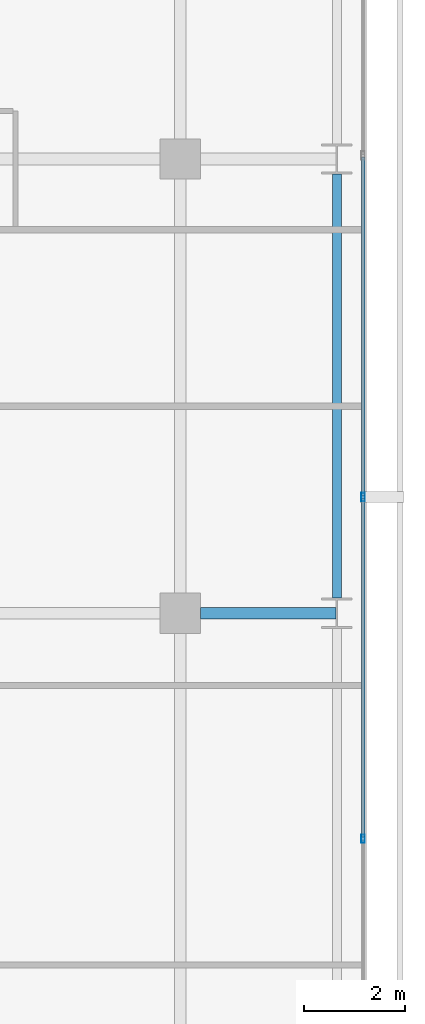
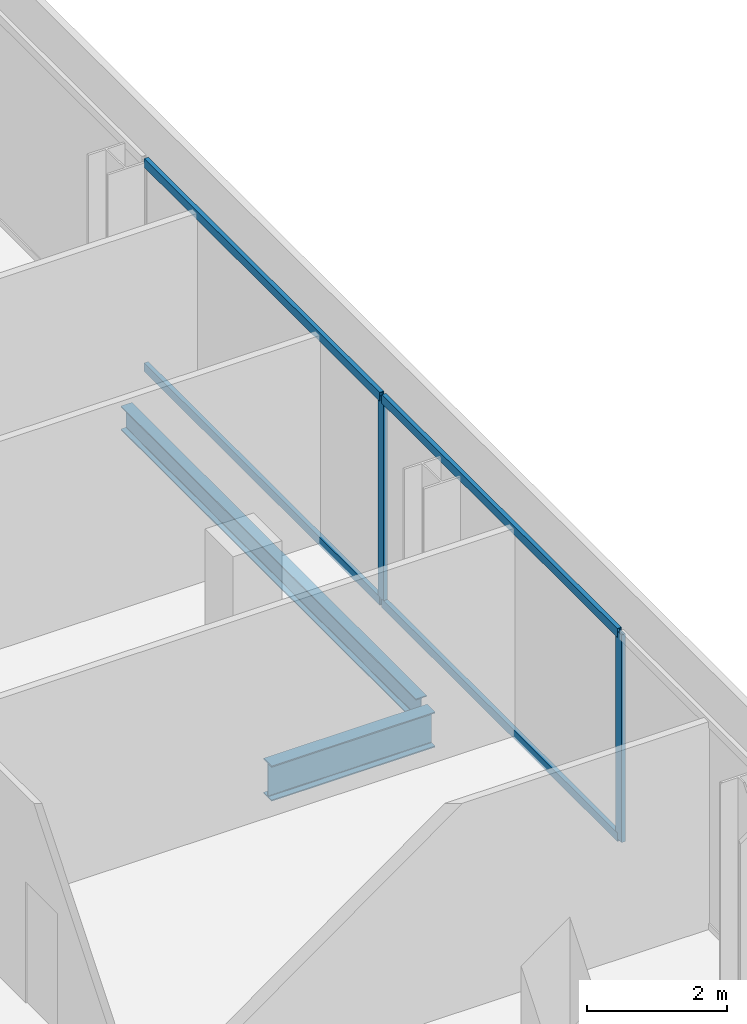
# One storey, part 17 of 33: 6 members, 2 beams, 1 element without a shape of its own.
"""IFC4 building model written with IfcOpenShell, lengths in metres."""

from ifc_helpers import new_model, si_unit, direction, frame, origin, origin_2d, place, context, subcontext, project, spatial, hollow_rectangle, i_section, extrude, material, layer, layer_set, material_profile, profile_set, type_object, element, aggregate, save


model = new_model("IFC4")

# Units and contexts
model_context = context("Model", 3, precision=1e-05, world=origin(), true_north=direction((0.0, 1.0)))
body_context = subcontext(model_context, "Body", "Model", "MODEL_VIEW")
ifc_project = project(units=[si_unit("LENGTHUNIT", "METRE"), si_unit("AREAUNIT", "SQUARE_METRE"), si_unit("VOLUMEUNIT", "CUBIC_METRE"), si_unit("PLANEANGLEUNIT", "RADIAN"), si_unit("MASSUNIT", "GRAM", prefix="KILO")], contexts=[model_context])

# Site, building, storey
site_placement = place(None, origin())
site = spatial("IfcSite", under=ifc_project, at=site_placement, CompositionType="ELEMENT")
building_placement = place(site_placement, origin())
building = spatial("IfcBuilding", under=site, at=building_placement, Name="Maruvema Waterfront Hotel and Observation Tower", CompositionType="ELEMENT")
storey_placement = place(building_placement, frame((0.0, 0.0, 150.5)))
storey = spatial("IfcBuildingStorey", under=building, at=storey_placement, Name="L36", CompositionType="ELEMENT", Elevation=150.5)

# Curtain wall, members
ifc_material_1 = material(Name="Anodised bronze aluminium and solar-control low-E IGU", Category="aluminium")
ifc_layer = layer(ifc_material_1, 0.159912109375, Name="Zone 2 Amber Inner Thermal Curtain Wall System CW-03")
ifc_layer_set = layer_set([ifc_layer], Name="Anodised bronze aluminium and solar-control low-E IGU")
curtain_wall_type = type_object("IfcCurtainWallType", Name="Zone 2 Amber Inner Thermal Curtain Wall System CW-03", PredefinedType="USERDEFINED", material=ifc_layer_set)
curtain_wall_placement = place(storey_placement, origin())
curtain_wall = element("IfcCurtainWall", 1, at=curtain_wall_placement, inside=storey, type_object=curtain_wall_type, Name="L36 Curtain Wall CW-L36-E", ObjectType="UNITISED CURTAIN WALL", PredefinedType="USERDEFINED")
ifc_material_2 = material(Name="Anodised architectural bronze aluminium", Category="aluminium")
ifc_material_profile_1 = material_profile(ifc_material_2, hollow_rectangle(XDim=0.070068359375, YDim=0.14990234375, WallThickness=0.00390625, at=origin_2d()), Name="ALU-T70x150")
ifc_profile_set_1 = profile_set([ifc_material_profile_1], Name="Anodised architectural bronze aluminium")
member_type_1 = type_object("IfcMemberType", Name="Curtain Wall Horizontal Transom ALU-T70x150", PredefinedType="USERDEFINED", material=ifc_profile_set_1)
member_1_placement = place(storey_placement, frame((62.419921875, 22.563232421875, 0.030029296875), z_axis=(0.0, 1.0, 0.0), x_axis=(-1.0, 0.0, 0.0)))
member_1 = element("IfcMember", 2, at=member_1_placement, type_object=member_type_1, Name="CW-03 transom 3.1", ObjectType="TRANSOM", PredefinedType="USERDEFINED", context=body_context, shape_type="SweptSolid", body=[
    extrude(hollow_rectangle(XDim=0.070068359375, YDim=0.14990234375, WallThickness=0.00390625, at=origin_2d()), origin(), (0.0, 0.0, 1.0), 6.706787109375),
])
member_2_placement = place(storey_placement, frame((62.419921875, 22.563232421875, 3.580078125), z_axis=(0.0, 1.0, 0.0), x_axis=(-1.0, 0.0, 0.0)))
member_2 = element("IfcMember", 3, at=member_2_placement, type_object=member_type_1, Name="CW-03 transom 3.2", ObjectType="TRANSOM", PredefinedType="USERDEFINED", context=body_context, shape_type="SweptSolid", body=[
    extrude(hollow_rectangle(XDim=0.070068359375, YDim=0.14990234375, WallThickness=0.00390625, at=origin_2d()), origin(), (0.0, 0.0, 1.0), 6.706787109375),
])
member_3_placement = place(storey_placement, frame((62.419921875, 29.330078125, 0.030029296875), z_axis=(0.0, 1.0, 0.0), x_axis=(-1.0, 0.0, 0.0)))
member_3 = element("IfcMember", 4, at=member_3_placement, type_object=member_type_1, Name="CW-03 transom 4.1", ObjectType="TRANSOM", PredefinedType="USERDEFINED", context=body_context, shape_type="SweptSolid", body=[
    extrude(hollow_rectangle(XDim=0.070068359375, YDim=0.14990234375, WallThickness=0.00390625, at=origin_2d()), origin(), (0.0, 0.0, 1.0), 6.70654296875),
])
member_4_placement = place(storey_placement, frame((62.419921875, 29.330078125, 3.580078125), z_axis=(0.0, 1.0, 0.0), x_axis=(-1.0, 0.0, 0.0)))
member_4 = element("IfcMember", 5, at=member_4_placement, type_object=member_type_1, Name="CW-03 transom 4.2", ObjectType="TRANSOM", PredefinedType="USERDEFINED", context=body_context, shape_type="SweptSolid", body=[
    extrude(hollow_rectangle(XDim=0.070068359375, YDim=0.14990234375, WallThickness=0.00390625, at=origin_2d()), origin(), (0.0, 0.0, 1.0), 6.70654296875),
])
ifc_material_3 = material(Name="Anodised architectural bronze aluminium", Category="aluminium")
ifc_material_profile_2 = material_profile(ifc_material_3, hollow_rectangle(XDim=0.06494140625, YDim=0.1650390625, WallThickness=0.00390625, at=origin_2d()), Name="ALU-M65x165")
ifc_profile_set_2 = profile_set([ifc_material_profile_2], Name="Anodised architectural bronze aluminium")
member_type_2 = type_object("IfcMemberType", Name="Curtain Wall Primary Mullion ALU-M65x165", PredefinedType="MULLION", material=ifc_profile_set_2)
member_5_placement = place(storey_placement, frame((62.419921875, 22.533447265625, 0.0), z_axis=(0.0, 0.0, 1.0), x_axis=(-1.0, 0.0, 0.0)))
member_5 = element("IfcMember", 6, at=member_5_placement, type_object=member_type_2, Name="CW-03 mullion 3", PredefinedType="MULLION", context=body_context, shape_type="SweptSolid", body=[
    extrude(hollow_rectangle(XDim=0.06494140625, YDim=0.1650390625, WallThickness=0.00390625, at=origin_2d()), origin(), (0.0, 0.0, 1.0), 3.610107421875),
])
member_6_placement = place(storey_placement, frame((62.419921875, 29.300048828125, 0.0), z_axis=(0.0, 0.0, 1.0), x_axis=(-1.0, 0.0, 0.0)))
member_6 = element("IfcMember", 7, at=member_6_placement, type_object=member_type_2, Name="CW-03 mullion 4", PredefinedType="MULLION", context=body_context, shape_type="SweptSolid", body=[
    extrude(hollow_rectangle(XDim=0.06494140625, YDim=0.1650390625, WallThickness=0.00390625, at=origin_2d()), origin(), (0.0, 0.0, 1.0), 3.610107421875),
])
aggregate(curtain_wall, [member_5, member_6, member_1, member_2, member_3, member_4])

# Beams
ifc_material_4 = material(Name="Steel ASTM A572 Grade 50", Category="steel")
ifc_material_profile_3 = material_profile(ifc_material_4, i_section(OverallWidth=0.180908203125, OverallDepth=0.4169921875, WebThickness=0.010986328125, FlangeThickness=0.018310546875, FilletRadius=0.014892578125, at=origin_2d()), Name="W410x85.0")
ifc_profile_set_3 = profile_set([ifc_material_profile_3], Name="Steel ASTM A572 Grade 50")
beam_type_1 = type_object("IfcBeamType", Name="Perimeter Spandrel Beam W410x85.0", PredefinedType="SPANDREL", material=ifc_profile_set_3)
beam_1_placement = place(storey_placement, frame((61.89990234375, 27.300048828125, -0.448486328125), z_axis=(0.0, 1.0, 0.0), x_axis=(-1.0, 0.0, 0.0)))
element("IfcBeam", 8, at=beam_1_placement, inside=storey, type_object=beam_type_1, Name="L36 Floor Girder NS-31", PredefinedType="SPANDREL", context=body_context, shape_type="SweptSolid", body=[
    extrude(i_section(OverallWidth=0.180908203125, OverallDepth=0.4169921875, WebThickness=0.010986328125, FlangeThickness=0.018310546875, FilletRadius=0.014892578125, at=origin_2d()), origin(), (0.0, 0.0, 1.0), 8.39990234375),
])
ifc_material_5 = material(Name="Steel ASTM A572 Grade 50", Category="steel")
ifc_material_profile_4 = material_profile(ifc_material_5, i_section(OverallWidth=0.22900390625, OverallDepth=0.612060546875, WebThickness=0.011962890625, FlangeThickness=0.01953125, FilletRadius=0.01806640625, at=origin_2d()), Name="W610x125.0")
ifc_profile_set_4 = profile_set([ifc_material_profile_4], Name="Steel ASTM A572 Grade 50")
beam_type_2 = type_object("IfcBeamType", Name="Primary Floor Girder W610x125.0", PredefinedType="BEAM", material=ifc_profile_set_4)
beam_2_placement = place(storey_placement, frame((59.199951171875, 27.0, -0.5458984375), z_axis=(1.0, 0.0, 0.0), x_axis=(0.0, 1.0, 0.0)))
element("IfcBeam", 9, at=beam_2_placement, inside=storey, type_object=beam_type_2, Name="L36 Floor Girder EW-22", PredefinedType="BEAM", context=body_context, shape_type="SweptSolid", body=[
    extrude(i_section(OverallWidth=0.22900390625, OverallDepth=0.612060546875, WebThickness=0.011962890625, FlangeThickness=0.01953125, FilletRadius=0.01806640625, at=origin_2d()), origin(), (0.0, 0.0, 1.0), 2.6875),
])

save(model, "model.ifc")
